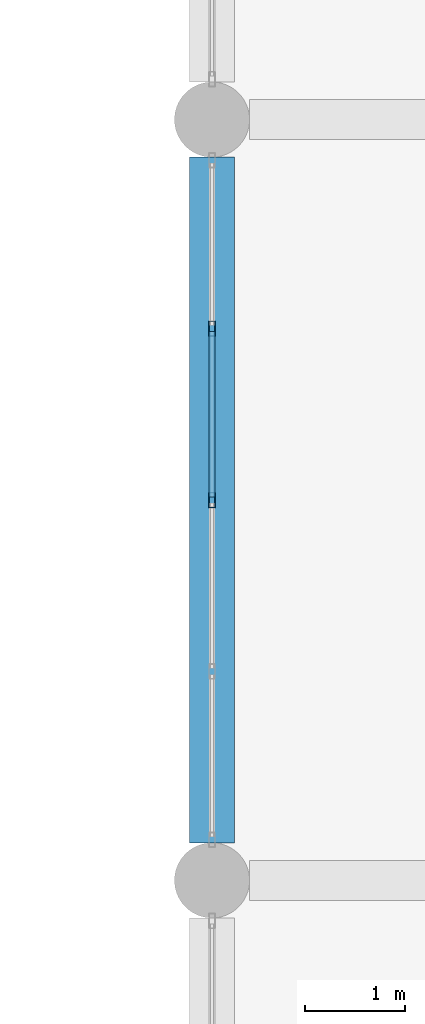
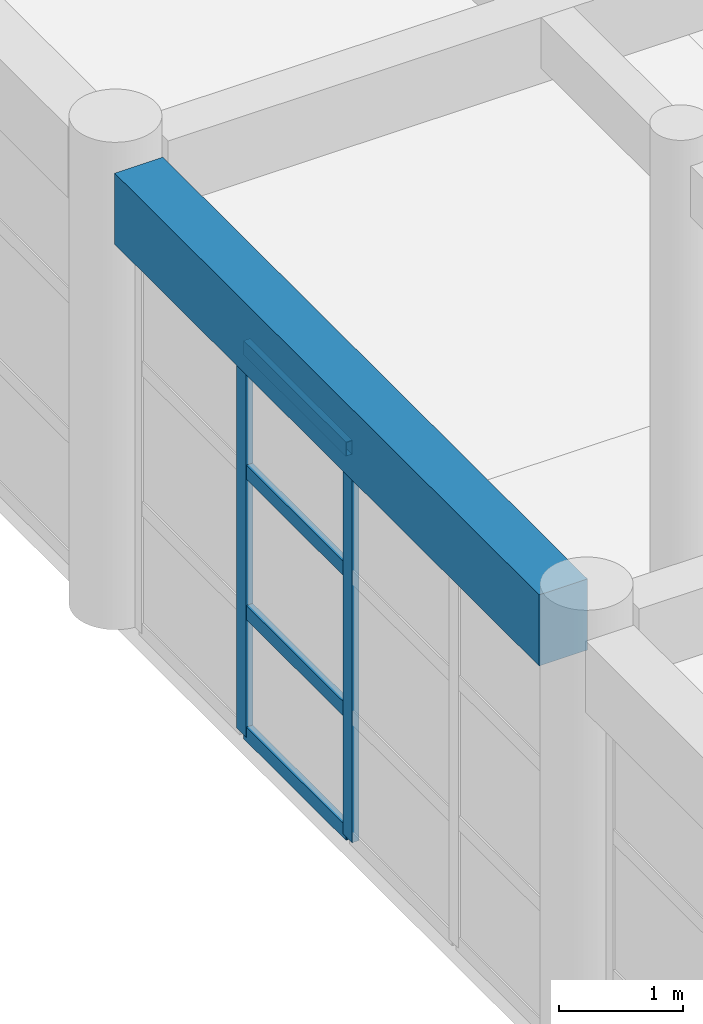
# One storey, part 16 of 101: 6 members, 1 beam, 1 element without a shape of its own.
"""IFC4 building model written with IfcOpenShell, lengths in metres."""

import ifcopenshell
import ifcopenshell.guid

model = None  # the IFC model being written
_history = None  # IfcOwnerHistory: only IFC2X3 demands one
_inside = {}  # id of a spatial element -> (the spatial element, [elements in it])
_under = {}  # id of a project, library or spatial element -> (it, [spatial elements below it])
_declared = {}  # id of a project -> (the project, [libraries it declares])
_typed = {}  # id of a type object -> (the type object, [elements of that type])
_made_of = {}  # id of a material, layer set ... -> (it, [elements and type objects made of it])


def new_model(schema):
    """Start an empty IFC model of exactly this schema.

    Asked for "IFC4X3", IfcOpenShell would pick the latest addendum, in which some entities
    have other attributes; the version numbers below select the first issue.
    IFC2X3 requires an IfcOwnerHistory on every rooted entity: one is made here for all.
    """
    global model, _history
    if schema == "IFC4X3":
        model = ifcopenshell.file(schema_version=(4, 3, 0, 0))
    else:
        model = ifcopenshell.file(schema=schema)
    _inside.clear()
    _under.clear()
    _declared.clear()
    _typed.clear()
    _made_of.clear()
    _history = None
    if model.schema == "IFC2X3":
        org = make("IfcOrganization", Name="unknown")
        user = make(
            "IfcPersonAndOrganization",
            ThePerson=make("IfcPerson", FamilyName="unknown"),
            TheOrganization=org,
        )
        app = make(
            "IfcApplication",
            ApplicationDeveloper=org,
            Version="unknown",
            ApplicationFullName="unknown",
            ApplicationIdentifier="unknown",
        )
        _history = make(
            "IfcOwnerHistory",
            OwningUser=user,
            OwningApplication=app,
            ChangeAction="ADDED",
            CreationDate=0,
        )
    return model


def make(cls, **values):
    """One entity of the class cls with the attributes given. An attribute that is None is left unset."""
    return model.create_entity(
        cls, **{name: value for name, value in values.items() if value is not None}
    )


def rooted(cls, **values):
    """An entity with a GlobalId (a new one), such as an element, a storey or a relation."""
    return make(cls, GlobalId=ifcopenshell.guid.new(), OwnerHistory=_history, **values)


def si_unit(unit_type, name, prefix=None):
    """IfcSIUnit, for example si_unit("LENGTHUNIT", "METRE", prefix="MILLI")."""
    return make("IfcSIUnit", UnitType=unit_type, Prefix=prefix, Name=name)


def assignment(units):
    """IfcUnitAssignment: the units of a project."""
    return None if units is None else make("IfcUnitAssignment", Units=units)


def point(xyz):
    """IfcCartesianPoint."""
    return None if xyz is None else make("IfcCartesianPoint", Coordinates=xyz)


def direction(xyz):
    """IfcDirection."""
    return None if xyz is None else make("IfcDirection", DirectionRatios=xyz)


def frame(location, z_axis=None, x_axis=None):
    """IfcAxis2Placement3D, a coordinate frame: its origin and axes. An axis left out is left unset."""
    return make(
        "IfcAxis2Placement3D",
        Location=point(location),
        Axis=direction(z_axis),
        RefDirection=direction(x_axis),
    )


def frame_2d(location, x_axis=None):
    """IfcAxis2Placement2D, a coordinate frame in the plane: its origin and x axis."""
    return make(
        "IfcAxis2Placement2D", Location=point(location), RefDirection=direction(x_axis)
    )


def origin():
    """The frame at (0, 0, 0) with its axes left unset."""
    return frame((0.0, 0.0, 0.0))


def origin_2d():
    """The frame at (0, 0) in the plane with its x axis left unset."""
    return frame_2d((0.0, 0.0))


def place(relative_to, where):
    """IfcLocalPlacement: puts the frame where relative to a parent placement (None: the world)."""
    return make(
        "IfcLocalPlacement", PlacementRelTo=relative_to, RelativePlacement=where
    )


def context(
    kind, dimensions, precision=None, world=None, true_north=None, identifier=None
):
    """IfcGeometricRepresentationContext, for example the 3D "Model" context."""
    return make(
        "IfcGeometricRepresentationContext",
        ContextIdentifier=identifier,
        ContextType=kind,
        CoordinateSpaceDimension=dimensions,
        Precision=precision,
        WorldCoordinateSystem=world,
        TrueNorth=true_north,
    )


def subcontext(parent, identifier, kind, view, scale=None):
    """IfcGeometricRepresentationSubContext, for example "Body" below "Model"."""
    return make(
        "IfcGeometricRepresentationSubContext",
        ContextIdentifier=identifier,
        ContextType=kind,
        ParentContext=parent,
        TargetScale=scale,
        TargetView=view,
    )


def project(units=None, contexts=None):
    """IfcProject with its units and contexts."""
    return rooted(
        "IfcProject",
        Name="project",
        RepresentationContexts=contexts,
        UnitsInContext=assignment(units),
    )


def spatial(cls, under=None, at=None, **own):
    """A site, building, storey or space (cls), placed at a placement, below another one or the project."""
    s = rooted(cls, ObjectPlacement=at, **own)
    if under is not None:
        _under.setdefault(under.id(), (under, []))[1].append(s)
    return s


def profile(cls, at=None, kind="AREA", **sizes):
    """A parametric profile (cls). Its sizes go by their IFC names, for example OverallWidth=200.0."""
    return make(cls, ProfileType=kind, Position=at, **sizes)


def rectangle(**sizes):
    """IfcRectangleProfileDef."""
    return profile("IfcRectangleProfileDef", **sizes)


def hollow_rectangle(**sizes):
    """IfcRectangleHollowProfileDef."""
    return profile("IfcRectangleHollowProfileDef", **sizes)


def extrude(swept, where, along, depth):
    """IfcExtrudedAreaSolid: the profile swept, set in the frame where, extruded along a direction by depth."""
    return make(
        "IfcExtrudedAreaSolid",
        SweptArea=swept,
        Position=where,
        ExtrudedDirection=direction(along),
        Depth=depth,
    )


def shape(context_of_items, identifier, shape_type, items):
    """IfcShapeRepresentation: the items that make up one representation, for example the "Body"."""
    return make(
        "IfcShapeRepresentation",
        ContextOfItems=context_of_items,
        RepresentationIdentifier=identifier,
        RepresentationType=shape_type,
        Items=items,
    )


def material(Name=None, Category=None):
    """IfcMaterial."""
    return make("IfcMaterial", Name=Name, Category=Category)


def material_profile(
    of_material, cross_section, Name=None, Category=None, Priority=None
):
    """IfcMaterialProfile: a cross section and its material."""
    return make(
        "IfcMaterialProfile",
        Name=Name,
        Material=of_material,
        Profile=cross_section,
        Priority=Priority,
        Category=Category,
    )


def profile_set(profiles, Name=None, composite=None):
    """IfcMaterialProfileSet."""
    return make(
        "IfcMaterialProfileSet",
        Name=Name,
        MaterialProfiles=profiles,
        CompositeProfile=composite,
    )


def made_of(thing, what):
    """Note that an element or type object is made of a material, layer set ...; save() writes the relation."""
    if what is not None:
        _made_of.setdefault(what.id(), (what, []))[1].append(thing)
    return thing


def type_object(cls, material=None, **own):
    """A type object (cls), such as IfcWallType, which elements share."""
    return made_of(rooted(cls, **own), material)


def element(
    cls,
    number,
    at=None,
    inside=None,
    cuts=None,
    type_object=None,
    material=None,
    context=None,
    identifier="Body",
    shape_type=None,
    held_by="IfcProductDefinitionShape",
    body=None,
    shapes=None,
    **own,
):
    """One element of the class cls, such as IfcWall. Its Tag is "e" and its number.

    at: its placement. inside: the storey or other place that contains it. cuts: it is an
    opening in that element (IfcRelVoidsElement). A single representation is given by context,
    identifier, shape_type and body (its items); several are given by shapes. held_by: the class
    of the entity that holds the representations. save() writes the other relations.
    """
    e = rooted(cls, Tag="e%d" % number, ObjectPlacement=at, **own)
    if body is not None:
        shapes = [shape(context, identifier, shape_type, body)]
    if shapes is not None:
        e.Representation = make(held_by, Representations=shapes)
    if inside is not None:
        _inside.setdefault(inside.id(), (inside, []))[1].append(e)
    if cuts is not None:
        rooted(
            "IfcRelVoidsElement", RelatingBuildingElement=cuts, RelatedOpeningElement=e
        )
    if type_object is not None:
        _typed.setdefault(type_object.id(), (type_object, []))[1].append(e)
    return made_of(e, material)


def aggregate(whole, parts):
    """IfcRelAggregates: a whole, such as a stair, and the parts it consists of."""
    return rooted("IfcRelAggregates", RelatingObject=whole, RelatedObjects=parts)


def save(model, path):
    """Write the relations noted so far, then the file.

    IfcRelAggregates (storeys below a building ...), IfcRelContainedInSpatialStructure (elements
    in a storey), IfcRelDefinesByType, IfcRelAssociatesMaterial and IfcRelDeclares: one each for
    every whole, place, type object, material and project.
    """
    for whole, parts in _under.values():
        aggregate(whole, parts)
    for where, things in _inside.values():
        rooted(
            "IfcRelContainedInSpatialStructure",
            RelatedElements=things,
            RelatingStructure=where,
        )
    for kind, things in _typed.values():
        rooted("IfcRelDefinesByType", RelatedObjects=things, RelatingType=kind)
    for what, things in _made_of.values():
        rooted("IfcRelAssociatesMaterial", RelatedObjects=things, RelatingMaterial=what)
    for by, libraries in _declared.values():
        rooted("IfcRelDeclares", RelatingContext=by, RelatedDefinitions=libraries)
    model.write(path)


model = new_model("IFC4")

# Units and contexts
model_context = context("Model", 3, precision=1e-05, world=origin(), true_north=direction((0.0, 1.0)))
body_context = subcontext(model_context, "Body", "Model", "MODEL_VIEW")
ifc_project = project(units=[si_unit("LENGTHUNIT", "METRE"), si_unit("AREAUNIT", "SQUARE_METRE"), si_unit("VOLUMEUNIT", "CUBIC_METRE"), si_unit("PLANEANGLEUNIT", "RADIAN"), si_unit("MASSUNIT", "GRAM", prefix="KILO")], contexts=[model_context])

# Site, building, storey
site_placement = place(None, origin())
site = spatial("IfcSite", under=ifc_project, at=site_placement, CompositionType="ELEMENT")
building_placement = place(site_placement, origin())
building = spatial("IfcBuilding", under=site, at=building_placement, Name="Zantavel Square City Hall", CompositionType="ELEMENT")
storey_placement = place(building_placement, frame((0.0, 0.0, 5.39990234375)))
storey = spatial("IfcBuildingStorey", under=building, at=storey_placement, Name="L02", CompositionType="ELEMENT", Elevation=5.39990234375)

# Curtain wall, members
ifc_material_1 = material(Name="Anodised aluminium 6063-T6", Category="aluminium")
curtain_wall_type = type_object("IfcCurtainWallType", Name="Curtain Wall CRT 6850x3840", PredefinedType="USERDEFINED", material=ifc_material_1)
curtain_wall_placement = place(storey_placement, origin())
curtain_wall = element("IfcCurtainWall", 1, at=curtain_wall_placement, inside=storey, type_object=curtain_wall_type, Name="L02 Glazed Curtain Wall CW-L02-078", ObjectType="GLAZED CURTAIN WALL", PredefinedType="USERDEFINED")
ifc_material_profile_1 = material_profile(ifc_material_1, hollow_rectangle(XDim=0.06494140625, YDim=0.14990234375, WallThickness=0.00390625, at=origin_2d()), Name="ALU 65x150x4")
ifc_profile_set_1 = profile_set([ifc_material_profile_1], Name="Anodised aluminium 6063-T6")
member_type_1 = type_object("IfcMemberType", Name="CW Mullion ALU 65x150x4", PredefinedType="MULLION", material=ifc_profile_set_1)
member_1_placement = place(storey_placement, frame((48.0, 49.39990234375, 0.0), z_axis=(0.0, 0.0, 1.0), x_axis=(-1.0, 0.0, 0.0)))
member_1 = element("IfcMember", 2, at=member_1_placement, type_object=member_type_1, Name="CW-078 mullion 3", PredefinedType="MULLION", context=body_context, shape_type="SweptSolid", body=[
    extrude(hollow_rectangle(XDim=0.06494140625, YDim=0.14990234375, WallThickness=0.00390625, at=origin_2d()), origin(), (0.0, 0.0, 1.0), 3.840087890625),
])
member_2_placement = place(storey_placement, frame((48.0, 51.112548828125, 0.0), z_axis=(0.0, 0.0, 1.0), x_axis=(-1.0, 0.0, 0.0)))
member_2 = element("IfcMember", 3, at=member_2_placement, type_object=member_type_1, Name="CW-078 mullion 4", PredefinedType="MULLION", context=body_context, shape_type="SweptSolid", body=[
    extrude(hollow_rectangle(XDim=0.06494140625, YDim=0.14990234375, WallThickness=0.00390625, at=origin_2d()), origin(), (0.0, 0.0, 1.0), 3.840087890625),
])
ifc_material_profile_2 = material_profile(ifc_material_1, hollow_rectangle(XDim=0.06005859375, YDim=0.139892578125, WallThickness=0.00390625, at=origin_2d()), Name="ALU 60x140x4")
ifc_profile_set_2 = profile_set([ifc_material_profile_2], Name="Anodised aluminium 6063-T6")
member_type_2 = type_object("IfcMemberType", Name="CW Transom ALU 60x140x4", PredefinedType="USERDEFINED", material=ifc_profile_set_2)
member_3_placement = place(storey_placement, frame((48.0, 49.429931640625, 0.030029296875), z_axis=(0.0, 1.0, 0.0), x_axis=(-1.0, 0.0, 0.0)))
member_3 = element("IfcMember", 4, at=member_3_placement, type_object=member_type_2, Name="CW-078 transom 3.1", ObjectType="TRANSOM", PredefinedType="USERDEFINED", context=body_context, shape_type="SweptSolid", body=[
    extrude(hollow_rectangle(XDim=0.06005859375, YDim=0.139892578125, WallThickness=0.00390625, at=origin_2d()), origin(), (0.0, 0.0, 1.0), 1.652587890625),
])
member_4_placement = place(storey_placement, frame((48.0, 49.429931640625, 1.22900390625), z_axis=(0.0, 1.0, 0.0), x_axis=(-1.0, 0.0, 0.0)))
member_4 = element("IfcMember", 5, at=member_4_placement, type_object=member_type_2, Name="CW-078 transom 3.2", ObjectType="TRANSOM", PredefinedType="USERDEFINED", context=body_context, shape_type="SweptSolid", body=[
    extrude(hollow_rectangle(XDim=0.06005859375, YDim=0.139892578125, WallThickness=0.00390625, at=origin_2d()), origin(), (0.0, 0.0, 1.0), 1.652587890625),
])
member_5_placement = place(storey_placement, frame((48.0, 49.429931640625, 2.611083984375), z_axis=(0.0, 1.0, 0.0), x_axis=(-1.0, 0.0, 0.0)))
member_5 = element("IfcMember", 6, at=member_5_placement, type_object=member_type_2, Name="CW-078 transom 3.3", ObjectType="TRANSOM", PredefinedType="USERDEFINED", context=body_context, shape_type="SweptSolid", body=[
    extrude(hollow_rectangle(XDim=0.06005859375, YDim=0.139892578125, WallThickness=0.00390625, at=origin_2d()), origin(), (0.0, 0.0, 1.0), 1.652587890625),
])
member_6_placement = place(storey_placement, frame((48.0, 49.429931640625, 3.81005859375), z_axis=(0.0, 1.0, 0.0), x_axis=(-1.0, 0.0, 0.0)))
member_6 = element("IfcMember", 7, at=member_6_placement, type_object=member_type_2, Name="CW-078 transom 3.4", ObjectType="TRANSOM", PredefinedType="USERDEFINED", context=body_context, shape_type="SweptSolid", body=[
    extrude(hollow_rectangle(XDim=0.06005859375, YDim=0.139892578125, WallThickness=0.00390625, at=origin_2d()), origin(), (0.0, 0.0, 1.0), 1.652587890625),
])
aggregate(curtain_wall, [member_1, member_2, member_3, member_4, member_5, member_6])

# Beam
ifc_material_2 = material(Name="Concrete C35/45", Category="concrete")
ifc_material_profile_3 = material_profile(ifc_material_2, rectangle(XDim=0.449951171875, YDim=0.699951171875, at=origin_2d()), Name="RC 450x700")
ifc_profile_set_3 = profile_set([ifc_material_profile_3], Name="Concrete C35/45")
beam_type = type_object("IfcBeamType", Name="Primary Girder RC 450x700 C35/45", PredefinedType="BEAM", material=ifc_profile_set_3)
beam_placement = place(storey_placement, frame((48.0, 45.97509765625, 4.190185546875), z_axis=(0.0, 1.0, 0.0), x_axis=(-1.0, 0.0, 0.0)))
element("IfcBeam", 8, at=beam_placement, inside=storey, type_object=beam_type, Name="L02 Beam BMY-L02-0480-0456", PredefinedType="BEAM", context=body_context, shape_type="SweptSolid", body=[
    extrude(rectangle(XDim=0.449951171875, YDim=0.699951171875, at=origin_2d()), origin(), (0.0, 0.0, 1.0), 6.849853515625),
])

save(model, "model.ifc")
